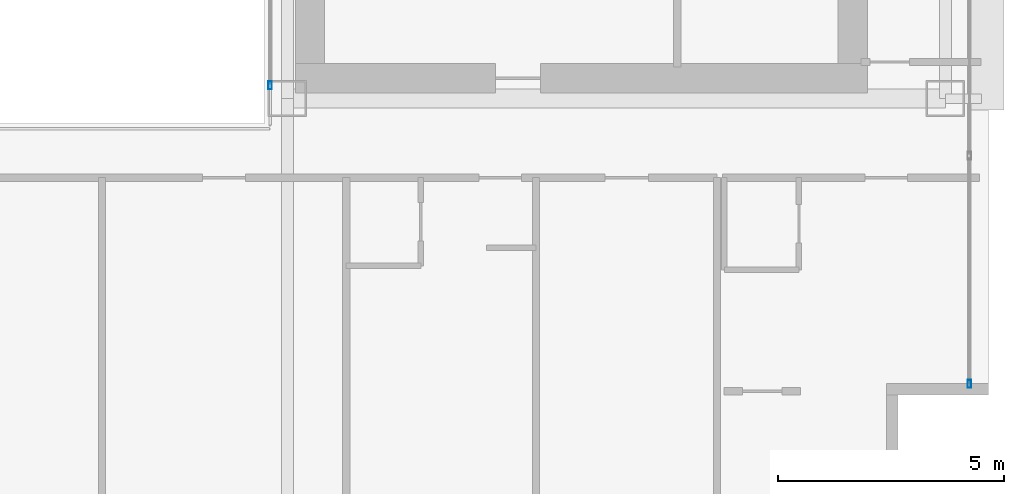
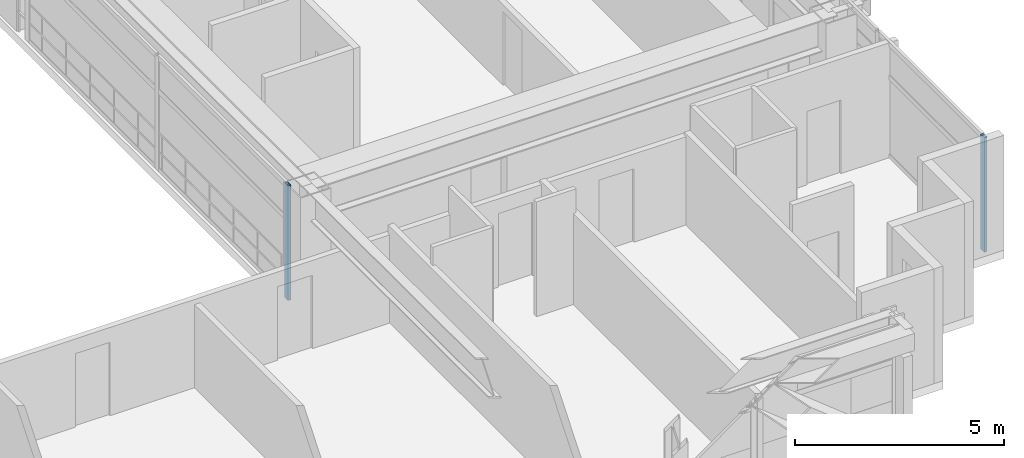
# One storey, part 12 of 39: 2 members, 2 elements without a shape of their own.
"""IFC4 building model written with IfcOpenShell, lengths in metres."""

from ifc_helpers import new_model, si_unit, direction, frame, origin, origin_2d, place, context, subcontext, project, spatial, hollow_rectangle, extrude, source, transform, mapped, material, layer, layer_set, material_profile, profile_set, type_object, element, aggregate, save


model = new_model("IFC4")

# Units and contexts
model_context = context("Model", 3, precision=1e-05, world=origin(), true_north=direction((0.0, 1.0)))
body_context = subcontext(model_context, "Body", "Model", "MODEL_VIEW")
ifc_project = project(units=[si_unit("LENGTHUNIT", "METRE"), si_unit("AREAUNIT", "SQUARE_METRE"), si_unit("VOLUMEUNIT", "CUBIC_METRE"), si_unit("PLANEANGLEUNIT", "RADIAN"), si_unit("MASSUNIT", "GRAM", prefix="KILO")], contexts=[model_context])

# Site, building, storey
site_placement = place(None, origin())
site = spatial("IfcSite", under=ifc_project, at=site_placement, CompositionType="ELEMENT")
building_placement = place(site_placement, origin())
building = spatial("IfcBuilding", under=site, at=building_placement, Name="Ocotamira Hotel", CompositionType="ELEMENT")
storey_placement = place(building_placement, frame((0.0, 0.0, 126.0)))
storey = spatial("IfcBuildingStorey", under=building, at=storey_placement, Name="L31", CompositionType="ELEMENT", Elevation=126.0)

# Curtain wall, member
ifc_material_1 = material(Name="Anodised pale-metal aluminium and solar glass", Category="aluminium")
ifc_layer_1 = layer(ifc_material_1, 0.179931640625)
ifc_layer_set_1 = layer_set([ifc_layer_1], Name="Anodised pale-metal aluminium and solar glass")
curtain_wall_type_1 = type_object("IfcCurtainWallType", Name="CW-SYS3-Z2", PredefinedType="NOTDEFINED", material=ifc_layer_set_1)
curtain_wall_1_placement = place(storey_placement, origin())
curtain_wall_1 = element("IfcCurtainWall", 1, at=curtain_wall_1_placement, inside=storey, type_object=curtain_wall_type_1, Name="L31 Curtain Wall CW-3 CW-L31-E", PredefinedType="NOTDEFINED")
ifc_material_2 = material(Name="Anodised pale-metal aluminium 6063-T6", Category="aluminium")
ifc_material_profile = material_profile(ifc_material_2, hollow_rectangle(XDim=0.080078125, YDim=0.179931640625, WallThickness=0.006103515625, at=origin_2d()), Name="HSS180X80X6")
ifc_profile_set = profile_set([ifc_material_profile], Name="Anodised pale-metal aluminium 6063-T6")
member_type = type_object("IfcMemberType", Name="CWM-180X75", PredefinedType="MULLION", material=ifc_profile_set)
shared_shape = source(origin(), body_context, "Body", "SweptSolid", [
    extrude(hollow_rectangle(XDim=0.080078125, YDim=0.179931640625, WallThickness=0.006103515625, at=origin_2d()), origin(), (0.0, 0.0, 1.0), 3.360107421875),
])
member_1_placement = place(storey_placement, frame((55.580078125, 8.239990234375, 0.0), z_axis=(0.0, 0.0, 1.0), x_axis=(-1.0, 0.0, 0.0)))
member_1 = element("IfcMember", 2, at=member_1_placement, type_object=member_type, Name="CW-3 mullion 1", PredefinedType="MULLION", context=body_context, shape_type="MappedRepresentation", body=[
    mapped(shared_shape, transform((0.0, 0.0, 0.0), scale=1.0)),
])
aggregate(curtain_wall_1, [member_1])

ifc_layer_2 = layer(ifc_material_1, 0.159912109375)
ifc_layer_set_2 = layer_set([ifc_layer_2], Name="Anodised pale-metal aluminium and solar glass")
curtain_wall_type_2 = type_object("IfcCurtainWallType", Name="CW-SYS6-ATR", PredefinedType="NOTDEFINED", material=ifc_layer_set_2)
curtain_wall_2_placement = place(storey_placement, origin())
curtain_wall_2 = element("IfcCurtainWall", 3, at=curtain_wall_2_placement, inside=storey, type_object=curtain_wall_type_2, Name="L31 Curtain Wall CW-6 CW-L31-ATRE1", PredefinedType="NOTDEFINED")
member_2_placement = place(storey_placement, frame((40.1201171875, 14.840087890625, 0.0), z_axis=(0.0, 0.0, 1.0), x_axis=(-1.0, 0.0, 0.0)))
member_2 = element("IfcMember", 4, at=member_2_placement, type_object=member_type, Name="CW-6 mullion 1", PredefinedType="MULLION", context=body_context, shape_type="MappedRepresentation", body=[
    mapped(shared_shape, transform((0.0, 0.0, 0.0), scale=1.0)),
])
aggregate(curtain_wall_2, [member_2])

save(model, "model.ifc")
